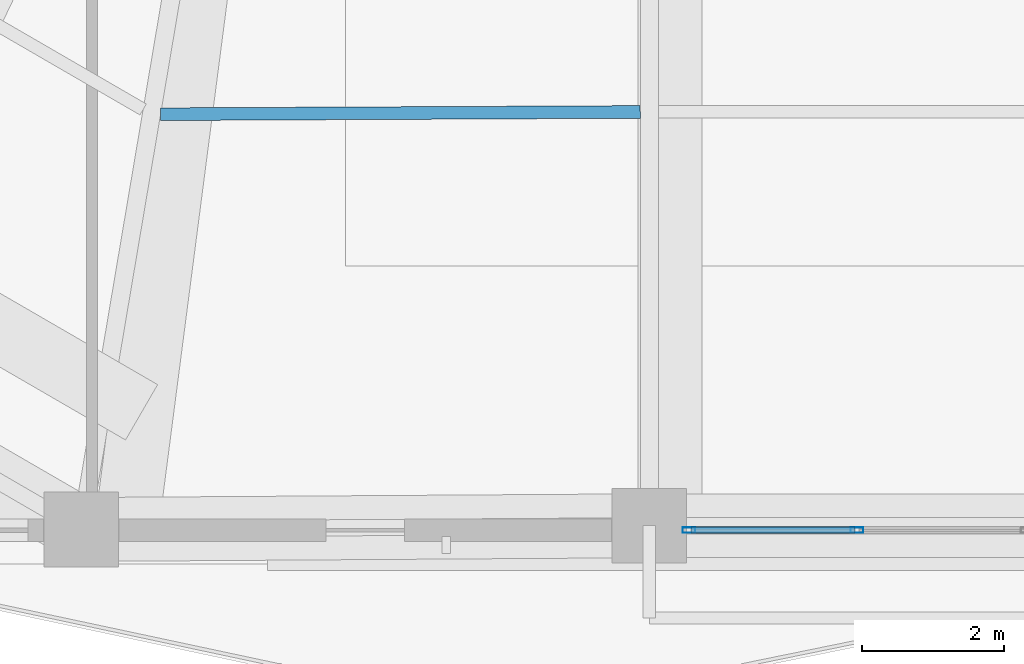
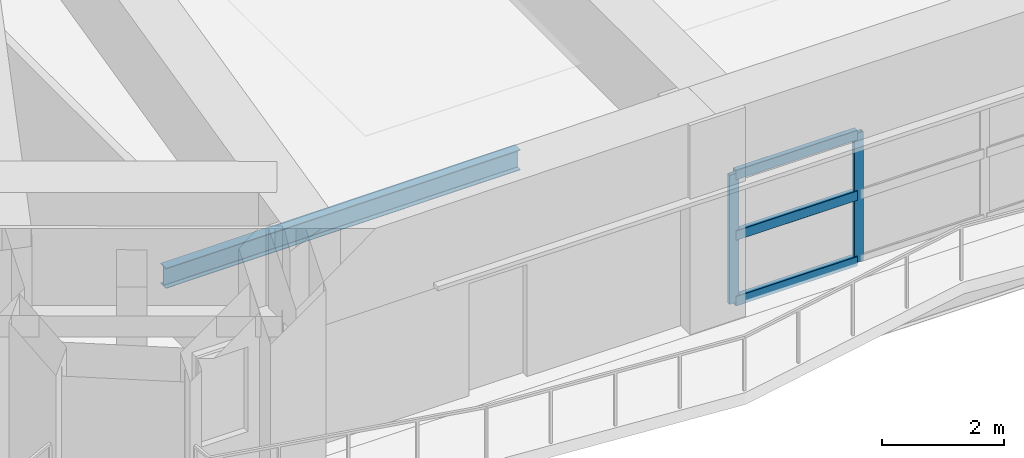
# One storey, part 4 of 23: 5 members, 1 beam, 1 element without a shape of its own.
"""IFC4 building model written with IfcOpenShell, lengths in metres."""

from ifc_helpers import new_model, si_unit, direction, frame, origin, origin_2d, place, context, subcontext, project, spatial, hollow_rectangle, i_section, extrude, material, layer, layer_set, material_profile, profile_set, type_object, element, aggregate, save


model = new_model("IFC4")

# Units and contexts
model_context = context("Model", 3, precision=1e-05, world=origin(), true_north=direction((0.0, 1.0)))
body_context = subcontext(model_context, "Body", "Model", "MODEL_VIEW")
ifc_project = project(units=[si_unit("LENGTHUNIT", "METRE"), si_unit("AREAUNIT", "SQUARE_METRE"), si_unit("VOLUMEUNIT", "CUBIC_METRE"), si_unit("PLANEANGLEUNIT", "RADIAN"), si_unit("MASSUNIT", "GRAM", prefix="KILO")], contexts=[model_context])

# Site, building, storey
site_placement = place(None, origin())
site = spatial("IfcSite", under=ifc_project, at=site_placement, CompositionType="ELEMENT")
building_placement = place(site_placement, origin())
building = spatial("IfcBuilding", under=site, at=building_placement, Name="Cinnabar Lancet Tower", CompositionType="ELEMENT")
storey_placement = place(building_placement, frame((0.0, 0.0, 94.199951171875)))
storey = spatial("IfcBuildingStorey", under=building, at=storey_placement, Name="L24", CompositionType="ELEMENT", Elevation=94.199951171875)

# Curtain wall, members
ifc_material_1 = material(Name="Thermally broken bronze-anodized aluminium and low-E glass", Category="aluminium")
ifc_layer = layer(ifc_material_1, 0.179931640625)
ifc_layer_set = layer_set([ifc_layer], Name="Thermally broken bronze-anodized aluminium and low-E glass")
curtain_wall_type = type_object("IfcCurtainWallType", Name="ENV-CW-SYS-03", PredefinedType="NOTDEFINED", material=ifc_layer_set)
curtain_wall_placement = place(storey_placement, origin())
curtain_wall = element("IfcCurtainWall", 1, at=curtain_wall_placement, inside=storey, type_object=curtain_wall_type, Name="L24 Face 1 Feature Curtain Wall", PredefinedType="NOTDEFINED")
ifc_material_2 = material(Name="Anodized architectural aluminium 6063-T6", Category="aluminium")
ifc_material_profile_1 = material_profile(ifc_material_2, hollow_rectangle(XDim=0.074951171875, YDim=0.179931640625, WallThickness=0.00390625, InnerFilletRadius=0.001953125, OuterFilletRadius=0.006103515625, at=origin_2d()), Name="CW-MUL 180x75x4")
ifc_profile_set_1 = profile_set([ifc_material_profile_1], Name="Anodized architectural aluminium 6063-T6")
member_type_1 = type_object("IfcMemberType", Name="ENV-CW-MUL-180", PredefinedType="MULLION", material=ifc_profile_set_1)
member_1_placement = place(storey_placement, frame((28.8369140625, 2.280029296875, 0.0), z_axis=(0.0, 0.0, 1.0), x_axis=(0.0, 1.0, 0.0)))
member_1 = element("IfcMember", 2, at=member_1_placement, type_object=member_type_1, Name="CW-03 mullion 1", PredefinedType="MULLION", context=body_context, shape_type="SweptSolid", body=[
    extrude(hollow_rectangle(XDim=0.074951171875, YDim=0.179931640625, WallThickness=0.00390625, InnerFilletRadius=0.001953125, OuterFilletRadius=0.006103515625, at=origin_2d()), origin(), (0.0, 0.0, 1.0), 2.590087890625),
])
member_2_placement = place(storey_placement, frame((31.202392578125, 2.280029296875, 0.0), z_axis=(0.0, 0.0, 1.0), x_axis=(0.0, 1.0, 0.0)))
member_2 = element("IfcMember", 3, at=member_2_placement, type_object=member_type_1, Name="CW-03 mullion 2", PredefinedType="MULLION", context=body_context, shape_type="SweptSolid", body=[
    extrude(hollow_rectangle(XDim=0.074951171875, YDim=0.179931640625, WallThickness=0.00390625, InnerFilletRadius=0.001953125, OuterFilletRadius=0.006103515625, at=origin_2d()), origin(), (0.0, 0.0, 1.0), 2.590087890625),
])
ifc_material_3 = material(Name="Anodized architectural aluminium 6063-T6", Category="aluminium")
ifc_material_profile_2 = material_profile(ifc_material_3, hollow_rectangle(XDim=0.10009765625, YDim=0.199951171875, WallThickness=0.008056640625, InnerFilletRadius=0.00390625, OuterFilletRadius=0.011962890625, at=origin_2d()), Name="RHS 200x100x8")
ifc_profile_set_2 = profile_set([ifc_material_profile_2], Name="Anodized architectural aluminium 6063-T6")
member_type_2 = type_object("IfcMemberType", Name="ENV-CW-TRN-140", PredefinedType="USERDEFINED", material=ifc_profile_set_2)
member_3_placement = place(storey_placement, frame((28.866943359375, 2.280029296875, 0.030029296875), z_axis=(1.0, 0.0, 0.0), x_axis=(0.0, 1.0, 0.0)))
member_3 = element("IfcMember", 4, at=member_3_placement, type_object=member_type_2, Name="CW-03 transom 1.1", ObjectType="TRANSOM", PredefinedType="USERDEFINED", context=body_context, shape_type="SweptSolid", body=[
    extrude(hollow_rectangle(XDim=0.10009765625, YDim=0.199951171875, WallThickness=0.008056640625, InnerFilletRadius=0.00390625, OuterFilletRadius=0.011962890625, at=origin_2d()), origin(), (0.0, 0.0, 1.0), 2.305419921875),
])
member_4_placement = place(storey_placement, frame((28.866943359375, 2.280029296875, 1.34716796875), z_axis=(1.0, 0.0, 0.0), x_axis=(0.0, 1.0, 0.0)))
member_4 = element("IfcMember", 5, at=member_4_placement, type_object=member_type_2, Name="CW-03 transom 1.2", ObjectType="TRANSOM", PredefinedType="USERDEFINED", context=body_context, shape_type="SweptSolid", body=[
    extrude(hollow_rectangle(XDim=0.10009765625, YDim=0.199951171875, WallThickness=0.008056640625, InnerFilletRadius=0.00390625, OuterFilletRadius=0.011962890625, at=origin_2d()), origin(), (0.0, 0.0, 1.0), 2.305419921875),
])
member_5_placement = place(storey_placement, frame((28.866943359375, 2.280029296875, 2.56005859375), z_axis=(1.0, 0.0, 0.0), x_axis=(0.0, 1.0, 0.0)))
member_5 = element("IfcMember", 6, at=member_5_placement, type_object=member_type_2, Name="CW-03 transom 1.3", ObjectType="TRANSOM", PredefinedType="USERDEFINED", context=body_context, shape_type="SweptSolid", body=[
    extrude(hollow_rectangle(XDim=0.10009765625, YDim=0.199951171875, WallThickness=0.008056640625, InnerFilletRadius=0.00390625, OuterFilletRadius=0.011962890625, at=origin_2d()), origin(), (0.0, 0.0, 1.0), 2.305419921875),
])
aggregate(curtain_wall, [member_1, member_2, member_3, member_4, member_5])

# Beam
ifc_material_4 = material(Name="Structural steel S355", Category="steel")
ifc_material_profile_3 = material_profile(ifc_material_4, i_section(OverallWidth=0.177978515625, OverallDepth=0.406494140625, WebThickness=0.0078125, FlangeThickness=0.0126953125, FilletRadius=0.01025390625, at=origin_2d()), Name="UKB 406x178x60")
ifc_profile_set_3 = profile_set([ifc_material_profile_3], Name="Structural steel S355")
beam_type = type_object("IfcBeamType", Name="STR-BM-JST-406", PredefinedType="JOIST", material=ifc_profile_set_3)
beam_placement = place(storey_placement, frame((21.39892578125, 8.135009765625, -0.4228515625), z_axis=(0.999988781713, 0.004736712844, 0.0), x_axis=(-0.004736712844, 0.999988781713, 0.0)))
element("IfcBeam", 7, at=beam_placement, inside=storey, type_object=beam_type, Name="L24 Secondary Floor Joist 9", PredefinedType="JOIST", context=body_context, shape_type="SweptSolid", body=[
    extrude(i_section(OverallWidth=0.177978515625, OverallDepth=0.406494140625, WebThickness=0.0078125, FlangeThickness=0.0126953125, FilletRadius=0.01025390625, at=origin_2d()), origin(), (0.0, 0.0, 1.0), 6.751953125),
])

save(model, "model.ifc")
